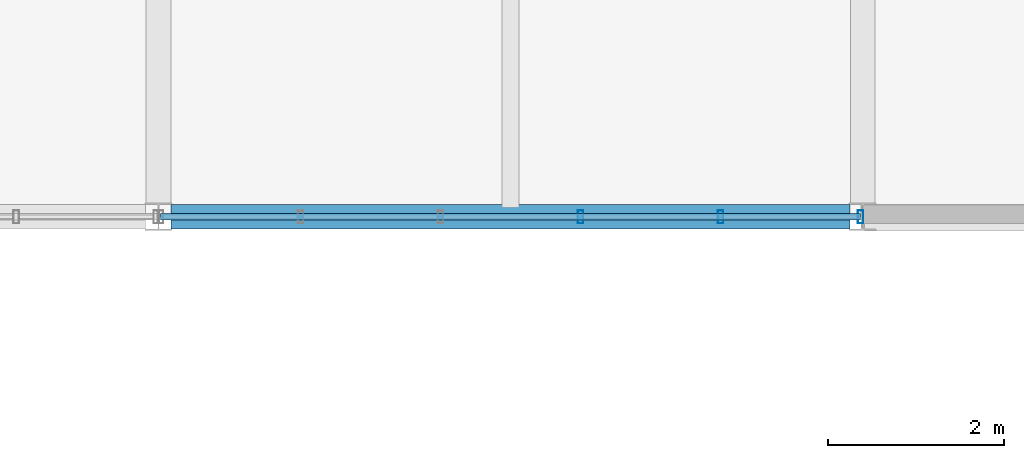
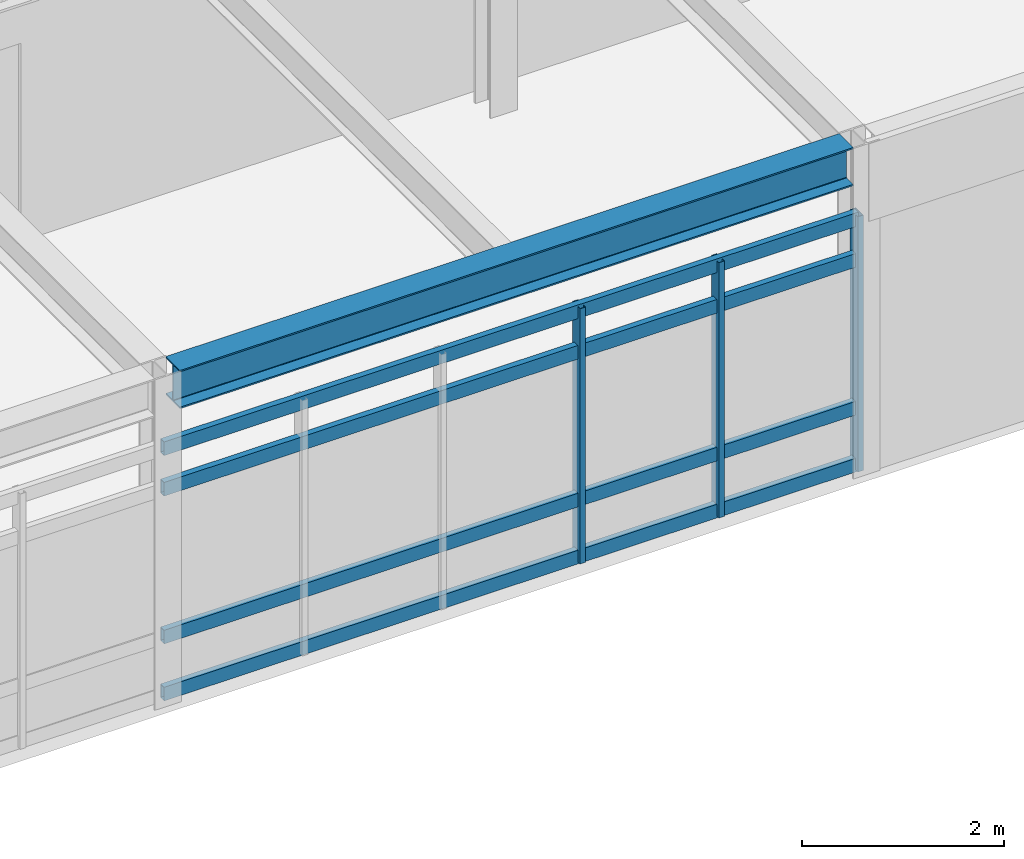
# One storey, part 26 of 45: 7 members, 1 beam, 1 element without a shape of its own.
"""IFC4 building model written with IfcOpenShell, lengths in metres."""

from ifc_helpers import new_model, si_unit, direction, frame, origin, origin_2d, place, context, subcontext, project, spatial, hollow_rectangle, i_section, extrude, material, material_profile, profile_set, type_object, element, aggregate, save


model = new_model("IFC4")

# Units and contexts
model_context = context("Model", 3, precision=1e-05, world=origin(), true_north=direction((0.0, 1.0)))
body_context = subcontext(model_context, "Body", "Model", "MODEL_VIEW")
ifc_project = project(units=[si_unit("LENGTHUNIT", "METRE"), si_unit("AREAUNIT", "SQUARE_METRE"), si_unit("VOLUMEUNIT", "CUBIC_METRE"), si_unit("PLANEANGLEUNIT", "RADIAN"), si_unit("MASSUNIT", "GRAM", prefix="KILO")], contexts=[model_context])

# Site, building, storey
site_placement = place(None, origin())
site = spatial("IfcSite", under=ifc_project, at=site_placement, CompositionType="ELEMENT")
building_placement = place(site_placement, origin())
building = spatial("IfcBuilding", under=site, at=building_placement, Name="Zulena Civic Courthouse", CompositionType="ELEMENT")
storey_placement = place(building_placement, frame((0.0, 0.0, 29.39990234375)))
storey = spatial("IfcBuildingStorey", under=building, at=storey_placement, Name="L06", CompositionType="ELEMENT", Elevation=29.39990234375)

# Curtain wall, members
ifc_material_1 = material(Name="Double-silver low-E laminated solar-control glass", Category="glass")
curtain_wall_type = type_object("IfcCurtainWallType", Name="CW_7952x3090", PredefinedType="USERDEFINED", material=ifc_material_1)
curtain_wall_placement = place(storey_placement, origin())
curtain_wall = element("IfcCurtainWall", 1, at=curtain_wall_placement, inside=storey, type_object=curtain_wall_type, Name="cw:V5:L06:5:2", ObjectType="UNITISED CURTAIN WALL", PredefinedType="USERDEFINED")
ifc_material_2 = material(Name="Bronze anodised thermally broken aluminium AA6063-T6", Category="aluminium")
ifc_material_profile_1 = material_profile(ifc_material_2, hollow_rectangle(XDim=0.06494140625, YDim=0.14990234375, WallThickness=0.00390625, at=origin_2d()), Name="CWM150X65X4")
ifc_profile_set_1 = profile_set([ifc_material_profile_1], Name="Bronze anodised thermally broken aluminium AA6063-T6")
member_type_1 = type_object("IfcMemberType", Name="CWMullion_150x65", PredefinedType="MULLION", material=ifc_profile_set_1)
member_1_placement = place(storey_placement, frame((83.97607421875, 46.0, 0.0), z_axis=(0.0, 0.0, 1.0), x_axis=(1.0, 0.0, 0.0)))
member_1 = element("IfcMember", 2, at=member_1_placement, type_object=member_type_1, Name="cw:V5:L06:5:2:mull:0", PredefinedType="MULLION", context=body_context, shape_type="SweptSolid", body=[
    extrude(hollow_rectangle(XDim=0.06494140625, YDim=0.14990234375, WallThickness=0.00390625, at=origin_2d()), origin(), (0.0, 0.0, 1.0), 3.090087890625),
])
member_2_placement = place(storey_placement, frame((82.385498046875, 46.0, 0.0), z_axis=(0.0, 0.0, 1.0), x_axis=(1.0, 0.0, 0.0)))
member_2 = element("IfcMember", 3, at=member_2_placement, type_object=member_type_1, Name="cw:V5:L06:5:2:mull:1", PredefinedType="MULLION", context=body_context, shape_type="SweptSolid", body=[
    extrude(hollow_rectangle(XDim=0.06494140625, YDim=0.14990234375, WallThickness=0.00390625, at=origin_2d()), origin(), (0.0, 0.0, 1.0), 3.090087890625),
])
member_3_placement = place(storey_placement, frame((80.795166015625, 46.0, 0.0), z_axis=(0.0, 0.0, 1.0), x_axis=(1.0, 0.0, 0.0)))
member_3 = element("IfcMember", 4, at=member_3_placement, type_object=member_type_1, Name="cw:V5:L06:5:2:mull:2", PredefinedType="MULLION", context=body_context, shape_type="SweptSolid", body=[
    extrude(hollow_rectangle(XDim=0.06494140625, YDim=0.14990234375, WallThickness=0.00390625, at=origin_2d()), origin(), (0.0, 0.0, 1.0), 3.090087890625),
])
ifc_material_profile_2 = material_profile(ifc_material_2, hollow_rectangle(XDim=0.070068359375, YDim=0.1650390625, WallThickness=0.00390625, at=origin_2d()), Name="CWT165X70X4")
ifc_profile_set_2 = profile_set([ifc_material_profile_2], Name="Bronze anodised thermally broken aluminium AA6063-T6")
member_type_2 = type_object("IfcMemberType", Name="CWTransom_165x70", PredefinedType="USERDEFINED", material=ifc_profile_set_2)
member_4_placement = place(storey_placement, frame((83.97607421875, 46.0, 0.06005859375), z_axis=(-1.0, 0.0, 0.0), x_axis=(0.0, -1.0, 0.0)))
member_4 = element("IfcMember", 5, at=member_4_placement, type_object=member_type_2, Name="cw:V5:L06:5:2:tran:0", ObjectType="TRANSOM", PredefinedType="USERDEFINED", context=body_context, shape_type="SweptSolid", body=[
    extrude(hollow_rectangle(XDim=0.070068359375, YDim=0.1650390625, WallThickness=0.00390625, at=origin_2d()), origin(), (0.0, 0.0, 1.0), 7.9521484375),
])
member_5_placement = place(storey_placement, frame((83.97607421875, 46.0, 0.75), z_axis=(-1.0, 0.0, 0.0), x_axis=(0.0, -1.0, 0.0)))
member_5 = element("IfcMember", 6, at=member_5_placement, type_object=member_type_2, Name="cw:V5:L06:5:2:tran:1", ObjectType="TRANSOM", PredefinedType="USERDEFINED", context=body_context, shape_type="SweptSolid", body=[
    extrude(hollow_rectangle(XDim=0.070068359375, YDim=0.1650390625, WallThickness=0.00390625, at=origin_2d()), origin(), (0.0, 0.0, 1.0), 7.9521484375),
])
member_6_placement = place(storey_placement, frame((83.97607421875, 46.0, 2.5400390625), z_axis=(-1.0, 0.0, 0.0), x_axis=(0.0, -1.0, 0.0)))
member_6 = element("IfcMember", 7, at=member_6_placement, type_object=member_type_2, Name="cw:V5:L06:5:2:tran:2", ObjectType="TRANSOM", PredefinedType="USERDEFINED", context=body_context, shape_type="SweptSolid", body=[
    extrude(hollow_rectangle(XDim=0.070068359375, YDim=0.1650390625, WallThickness=0.00390625, at=origin_2d()), origin(), (0.0, 0.0, 1.0), 7.9521484375),
])
member_7_placement = place(storey_placement, frame((83.97607421875, 46.0, 3.030029296875), z_axis=(-1.0, 0.0, 0.0), x_axis=(0.0, -1.0, 0.0)))
member_7 = element("IfcMember", 8, at=member_7_placement, type_object=member_type_2, Name="cw:V5:L06:5:2:tran:3", ObjectType="TRANSOM", PredefinedType="USERDEFINED", context=body_context, shape_type="SweptSolid", body=[
    extrude(hollow_rectangle(XDim=0.070068359375, YDim=0.1650390625, WallThickness=0.00390625, at=origin_2d()), origin(), (0.0, 0.0, 1.0), 7.9521484375),
])
aggregate(curtain_wall, [member_1, member_2, member_3, member_4, member_5, member_6, member_7])

# Beam
ifc_material_3 = material(Name="Steel ASTM A992 Grade 50", Category="steel")
ifc_material_profile_3 = material_profile(ifc_material_3, i_section(OverallWidth=0.280029296875, OverallDepth=0.462890625, WebThickness=0.0107421875, FlangeThickness=0.017333984375, FilletRadius=0.01025390625, at=origin_2d()), Name="W18X76")
ifc_profile_set_3 = profile_set([ifc_material_profile_3], Name="Steel ASTM A992 Grade 50")
beam_type = type_object("IfcBeamType", Name="Spandrel_W18X76", PredefinedType="SPANDREL", material=ifc_profile_set_3)
beam_placement = place(storey_placement, frame((76.14501953125, 46.0, 3.7685546875), z_axis=(1.0, 0.0, 0.0), x_axis=(0.0, 1.0, 0.0)))
element("IfcBeam", 9, at=beam_placement, inside=storey, type_object=beam_type, Name="beam:X:V5:L06:46.0:76.0_84.0", PredefinedType="SPANDREL", context=body_context, shape_type="SweptSolid", body=[
    extrude(i_section(OverallWidth=0.280029296875, OverallDepth=0.462890625, WebThickness=0.0107421875, FlangeThickness=0.017333984375, FilletRadius=0.01025390625, at=origin_2d()), origin(), (0.0, 0.0, 1.0), 7.7099609375),
])

save(model, "model.ifc")
